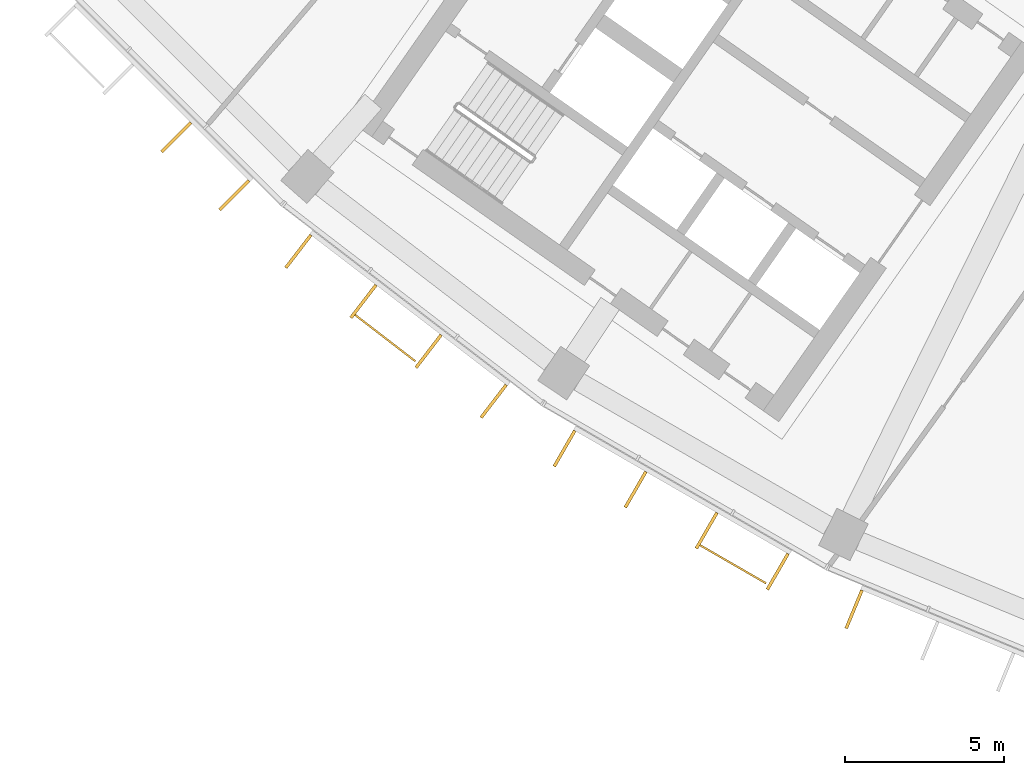
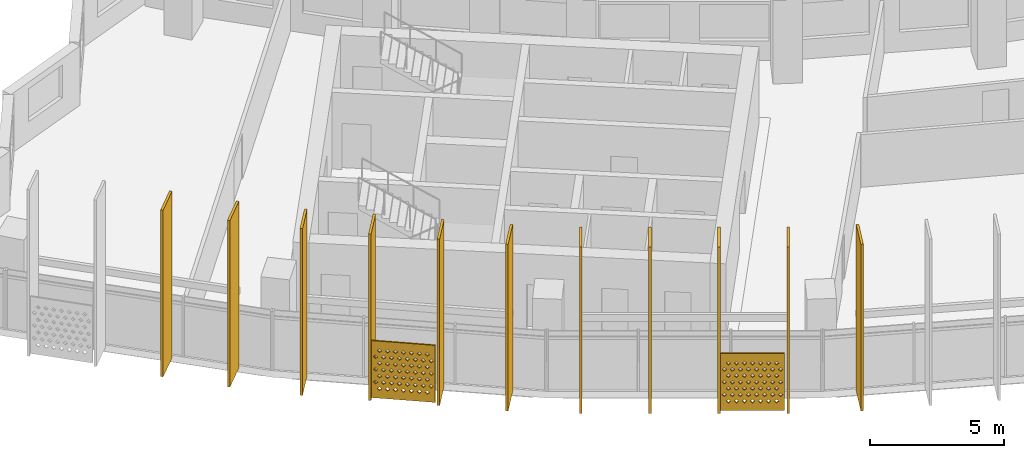
# One storey, part 23 of 27: 13 shading devices.
"""IFC4 building model written with IfcOpenShell, lengths in metres."""

from ifc_helpers import new_model, si_unit, direction, frame, origin, origin_2d, place, context, subcontext, project, spatial, polyline, rectangle, outline, extrude, material, material_profile, profile_set, type_object, element, save


model = new_model("IFC4")

# Units and contexts
model_context = context("Model", 3, precision=1e-05, world=origin(), true_north=direction((0.0, 1.0)))
body_context = subcontext(model_context, "Body", "Model", "MODEL_VIEW")
ifc_project = project(units=[si_unit("LENGTHUNIT", "METRE"), si_unit("AREAUNIT", "SQUARE_METRE"), si_unit("VOLUMEUNIT", "CUBIC_METRE"), si_unit("PLANEANGLEUNIT", "RADIAN"), si_unit("MASSUNIT", "GRAM", prefix="KILO")], contexts=[model_context])

# Site, building, storey
site_placement = place(None, origin())
site = spatial("IfcSite", under=ifc_project, at=site_placement, CompositionType="ELEMENT")
building_placement = place(site_placement, origin())
building = spatial("IfcBuilding", under=site, at=building_placement, Name="Qamariyya Broadcast Tower", CompositionType="ELEMENT")
storey_placement = place(building_placement, frame((0.0, 0.0, 179.699951171875)))
storey = spatial("IfcBuildingStorey", under=building, at=storey_placement, Name="L42", CompositionType="ELEMENT", Elevation=179.699951171875)

# Shading devices
ifc_material_1 = material(Name="Perforated glazed terracotta", Category="masonry")
ifc_material_profile_1 = material_profile(ifc_material_1, outline(polyline([(-1.199951171875, -1.300048828125), (1.199951171875, -1.300048828125), (1.199951171875, 1.300048828125), (-1.199951171875, 1.300048828125), (-1.199951171875, -1.300048828125)]), holes=[polyline([(-0.81494140625, -0.86669921875), (-0.89990234375, -0.78173828125), (-0.985107421875, -0.86669921875), (-0.89990234375, -0.95166015625), (-0.81494140625, -0.86669921875)]), polyline([(-0.514892578125, -0.86669921875), (-0.60009765625, -0.78173828125), (-0.68505859375, -0.86669921875), (-0.60009765625, -0.95166015625), (-0.514892578125, -0.86669921875)]), polyline([(-0.215087890625, -0.86669921875), (-0.300048828125, -0.78173828125), (-0.385009765625, -0.86669921875), (-0.300048828125, -0.95166015625), (-0.215087890625, -0.86669921875)]), polyline([(0.0849609375, -0.86669921875), (0.0, -0.78173828125), (-0.0849609375, -0.86669921875), (0.0, -0.95166015625), (0.0849609375, -0.86669921875)]), polyline([(0.385009765625, -0.86669921875), (0.300048828125, -0.78173828125), (0.215087890625, -0.86669921875), (0.300048828125, -0.95166015625), (0.385009765625, -0.86669921875)]), polyline([(0.68505859375, -0.86669921875), (0.60009765625, -0.78173828125), (0.514892578125, -0.86669921875), (0.60009765625, -0.95166015625), (0.68505859375, -0.86669921875)]), polyline([(0.985107421875, -0.86669921875), (0.89990234375, -0.78173828125), (0.81494140625, -0.86669921875), (0.89990234375, -0.95166015625), (0.985107421875, -0.86669921875)]), polyline([(-0.965087890625, -0.577880859375), (-1.050048828125, -0.49267578125), (-1.135009765625, -0.577880859375), (-1.050048828125, -0.662841796875), (-0.965087890625, -0.577880859375)]), polyline([(-0.6650390625, -0.577880859375), (-0.75, -0.49267578125), (-0.8349609375, -0.577880859375), (-0.75, -0.662841796875), (-0.6650390625, -0.577880859375)]), polyline([(-0.364990234375, -0.577880859375), (-0.449951171875, -0.49267578125), (-0.534912109375, -0.577880859375), (-0.449951171875, -0.662841796875), (-0.364990234375, -0.577880859375)]), polyline([(-0.06494140625, -0.577880859375), (-0.14990234375, -0.49267578125), (-0.235107421875, -0.577880859375), (-0.14990234375, -0.662841796875), (-0.06494140625, -0.577880859375)]), polyline([(0.235107421875, -0.577880859375), (0.14990234375, -0.49267578125), (0.06494140625, -0.577880859375), (0.14990234375, -0.662841796875), (0.235107421875, -0.577880859375)]), polyline([(0.534912109375, -0.577880859375), (0.449951171875, -0.49267578125), (0.364990234375, -0.577880859375), (0.449951171875, -0.662841796875), (0.534912109375, -0.577880859375)]), polyline([(0.8349609375, -0.577880859375), (0.75, -0.49267578125), (0.6650390625, -0.577880859375), (0.75, -0.662841796875), (0.8349609375, -0.577880859375)]), polyline([(1.135009765625, -0.577880859375), (1.050048828125, -0.49267578125), (0.965087890625, -0.577880859375), (1.050048828125, -0.662841796875), (1.135009765625, -0.577880859375)]), polyline([(-0.81494140625, -0.288818359375), (-0.89990234375, -0.203857421875), (-0.985107421875, -0.288818359375), (-0.89990234375, -0.373779296875), (-0.81494140625, -0.288818359375)]), polyline([(-0.514892578125, -0.288818359375), (-0.60009765625, -0.203857421875), (-0.68505859375, -0.288818359375), (-0.60009765625, -0.373779296875), (-0.514892578125, -0.288818359375)]), polyline([(-0.215087890625, -0.288818359375), (-0.300048828125, -0.203857421875), (-0.385009765625, -0.288818359375), (-0.300048828125, -0.373779296875), (-0.215087890625, -0.288818359375)]), polyline([(0.0849609375, -0.288818359375), (0.0, -0.203857421875), (-0.0849609375, -0.288818359375), (0.0, -0.373779296875), (0.0849609375, -0.288818359375)]), polyline([(0.385009765625, -0.288818359375), (0.300048828125, -0.203857421875), (0.215087890625, -0.288818359375), (0.300048828125, -0.373779296875), (0.385009765625, -0.288818359375)]), polyline([(0.68505859375, -0.288818359375), (0.60009765625, -0.203857421875), (0.514892578125, -0.288818359375), (0.60009765625, -0.373779296875), (0.68505859375, -0.288818359375)]), polyline([(0.985107421875, -0.288818359375), (0.89990234375, -0.203857421875), (0.81494140625, -0.288818359375), (0.89990234375, -0.373779296875), (0.985107421875, -0.288818359375)]), polyline([(-0.965087890625, 0.0), (-1.050048828125, 0.0849609375), (-1.135009765625, 0.0), (-1.050048828125, -0.0849609375), (-0.965087890625, 0.0)]), polyline([(-0.6650390625, 0.0), (-0.75, 0.0849609375), (-0.8349609375, 0.0), (-0.75, -0.0849609375), (-0.6650390625, 0.0)]), polyline([(-0.364990234375, 0.0), (-0.449951171875, 0.0849609375), (-0.534912109375, 0.0), (-0.449951171875, -0.0849609375), (-0.364990234375, 0.0)]), polyline([(-0.06494140625, 0.0), (-0.14990234375, 0.0849609375), (-0.235107421875, 0.0), (-0.14990234375, -0.0849609375), (-0.06494140625, 0.0)]), polyline([(0.235107421875, 0.0), (0.14990234375, 0.0849609375), (0.06494140625, 0.0), (0.14990234375, -0.0849609375), (0.235107421875, 0.0)]), polyline([(0.534912109375, 0.0), (0.449951171875, 0.0849609375), (0.364990234375, 0.0), (0.449951171875, -0.0849609375), (0.534912109375, 0.0)]), polyline([(0.8349609375, 0.0), (0.75, 0.0849609375), (0.6650390625, 0.0), (0.75, -0.0849609375), (0.8349609375, 0.0)]), polyline([(1.135009765625, 0.0), (1.050048828125, 0.0849609375), (0.965087890625, 0.0), (1.050048828125, -0.0849609375), (1.135009765625, 0.0)]), polyline([(-0.81494140625, 0.288818359375), (-0.89990234375, 0.373779296875), (-0.985107421875, 0.288818359375), (-0.89990234375, 0.203857421875), (-0.81494140625, 0.288818359375)]), polyline([(-0.514892578125, 0.288818359375), (-0.60009765625, 0.373779296875), (-0.68505859375, 0.288818359375), (-0.60009765625, 0.203857421875), (-0.514892578125, 0.288818359375)]), polyline([(-0.215087890625, 0.288818359375), (-0.300048828125, 0.373779296875), (-0.385009765625, 0.288818359375), (-0.300048828125, 0.203857421875), (-0.215087890625, 0.288818359375)]), polyline([(0.0849609375, 0.288818359375), (0.0, 0.373779296875), (-0.0849609375, 0.288818359375), (0.0, 0.203857421875), (0.0849609375, 0.288818359375)]), polyline([(0.385009765625, 0.288818359375), (0.300048828125, 0.373779296875), (0.215087890625, 0.288818359375), (0.300048828125, 0.203857421875), (0.385009765625, 0.288818359375)]), polyline([(0.68505859375, 0.288818359375), (0.60009765625, 0.373779296875), (0.514892578125, 0.288818359375), (0.60009765625, 0.203857421875), (0.68505859375, 0.288818359375)]), polyline([(0.985107421875, 0.288818359375), (0.89990234375, 0.373779296875), (0.81494140625, 0.288818359375), (0.89990234375, 0.203857421875), (0.985107421875, 0.288818359375)]), polyline([(-0.965087890625, 0.577880859375), (-1.050048828125, 0.662841796875), (-1.135009765625, 0.577880859375), (-1.050048828125, 0.49267578125), (-0.965087890625, 0.577880859375)]), polyline([(-0.6650390625, 0.577880859375), (-0.75, 0.662841796875), (-0.8349609375, 0.577880859375), (-0.75, 0.49267578125), (-0.6650390625, 0.577880859375)]), polyline([(-0.364990234375, 0.577880859375), (-0.449951171875, 0.662841796875), (-0.534912109375, 0.577880859375), (-0.449951171875, 0.49267578125), (-0.364990234375, 0.577880859375)]), polyline([(-0.06494140625, 0.577880859375), (-0.14990234375, 0.662841796875), (-0.235107421875, 0.577880859375), (-0.14990234375, 0.49267578125), (-0.06494140625, 0.577880859375)]), polyline([(0.235107421875, 0.577880859375), (0.14990234375, 0.662841796875), (0.06494140625, 0.577880859375), (0.14990234375, 0.49267578125), (0.235107421875, 0.577880859375)]), polyline([(0.534912109375, 0.577880859375), (0.449951171875, 0.662841796875), (0.364990234375, 0.577880859375), (0.449951171875, 0.49267578125), (0.534912109375, 0.577880859375)]), polyline([(0.8349609375, 0.577880859375), (0.75, 0.662841796875), (0.6650390625, 0.577880859375), (0.75, 0.49267578125), (0.8349609375, 0.577880859375)]), polyline([(1.135009765625, 0.577880859375), (1.050048828125, 0.662841796875), (0.965087890625, 0.577880859375), (1.050048828125, 0.49267578125), (1.135009765625, 0.577880859375)]), polyline([(-0.81494140625, 0.86669921875), (-0.89990234375, 0.95166015625), (-0.985107421875, 0.86669921875), (-0.89990234375, 0.78173828125), (-0.81494140625, 0.86669921875)]), polyline([(-0.514892578125, 0.86669921875), (-0.60009765625, 0.95166015625), (-0.68505859375, 0.86669921875), (-0.60009765625, 0.78173828125), (-0.514892578125, 0.86669921875)]), polyline([(-0.215087890625, 0.86669921875), (-0.300048828125, 0.95166015625), (-0.385009765625, 0.86669921875), (-0.300048828125, 0.78173828125), (-0.215087890625, 0.86669921875)]), polyline([(0.0849609375, 0.86669921875), (0.0, 0.95166015625), (-0.0849609375, 0.86669921875), (0.0, 0.78173828125), (0.0849609375, 0.86669921875)]), polyline([(0.385009765625, 0.86669921875), (0.300048828125, 0.95166015625), (0.215087890625, 0.86669921875), (0.300048828125, 0.78173828125), (0.385009765625, 0.86669921875)]), polyline([(0.68505859375, 0.86669921875), (0.60009765625, 0.95166015625), (0.514892578125, 0.86669921875), (0.60009765625, 0.78173828125), (0.68505859375, 0.86669921875)]), polyline([(0.985107421875, 0.86669921875), (0.89990234375, 0.95166015625), (0.81494140625, 0.86669921875), (0.89990234375, 0.78173828125), (0.985107421875, 0.86669921875)])]))
ifc_profile_set_1 = profile_set([ifc_material_profile_1], Name="Perforated glazed terracotta")
shading_device_type_1 = type_object("IfcShadingDeviceType", Name="Perforated terracotta screen 2400 x 2600", PredefinedType="USERDEFINED", material=ifc_profile_set_1)
shading_device_1_placement = place(storey_placement, frame((-48.79541015625, -63.52294921875, 1.35009765625), z_axis=(-0.60971076085, -0.792623989105, 0.0), x_axis=(0.792623989105, -0.60971076085, 0.0)))
element("IfcShadingDevice", 1, at=shading_device_1_placement, inside=storey, type_object=shading_device_type_1, Name="e-scr-L42-02-1", ObjectType="SCREEN", PredefinedType="USERDEFINED", context=body_context, shape_type="SweptSolid", body=[
    extrude(outline(polyline([(-1.199951171875, -1.300048828125), (1.199951171875, -1.300048828125), (1.199951171875, 1.300048828125), (-1.199951171875, 1.300048828125), (-1.199951171875, -1.300048828125)]), holes=[polyline([(-0.81494140625, -0.86669921875), (-0.89990234375, -0.78173828125), (-0.985107421875, -0.86669921875), (-0.89990234375, -0.95166015625), (-0.81494140625, -0.86669921875)]), polyline([(-0.514892578125, -0.86669921875), (-0.60009765625, -0.78173828125), (-0.68505859375, -0.86669921875), (-0.60009765625, -0.95166015625), (-0.514892578125, -0.86669921875)]), polyline([(-0.215087890625, -0.86669921875), (-0.300048828125, -0.78173828125), (-0.385009765625, -0.86669921875), (-0.300048828125, -0.95166015625), (-0.215087890625, -0.86669921875)]), polyline([(0.0849609375, -0.86669921875), (0.0, -0.78173828125), (-0.0849609375, -0.86669921875), (0.0, -0.95166015625), (0.0849609375, -0.86669921875)]), polyline([(0.385009765625, -0.86669921875), (0.300048828125, -0.78173828125), (0.215087890625, -0.86669921875), (0.300048828125, -0.95166015625), (0.385009765625, -0.86669921875)]), polyline([(0.68505859375, -0.86669921875), (0.60009765625, -0.78173828125), (0.514892578125, -0.86669921875), (0.60009765625, -0.95166015625), (0.68505859375, -0.86669921875)]), polyline([(0.985107421875, -0.86669921875), (0.89990234375, -0.78173828125), (0.81494140625, -0.86669921875), (0.89990234375, -0.95166015625), (0.985107421875, -0.86669921875)]), polyline([(-0.965087890625, -0.577880859375), (-1.050048828125, -0.49267578125), (-1.135009765625, -0.577880859375), (-1.050048828125, -0.662841796875), (-0.965087890625, -0.577880859375)]), polyline([(-0.6650390625, -0.577880859375), (-0.75, -0.49267578125), (-0.8349609375, -0.577880859375), (-0.75, -0.662841796875), (-0.6650390625, -0.577880859375)]), polyline([(-0.364990234375, -0.577880859375), (-0.449951171875, -0.49267578125), (-0.534912109375, -0.577880859375), (-0.449951171875, -0.662841796875), (-0.364990234375, -0.577880859375)]), polyline([(-0.06494140625, -0.577880859375), (-0.14990234375, -0.49267578125), (-0.235107421875, -0.577880859375), (-0.14990234375, -0.662841796875), (-0.06494140625, -0.577880859375)]), polyline([(0.235107421875, -0.577880859375), (0.14990234375, -0.49267578125), (0.06494140625, -0.577880859375), (0.14990234375, -0.662841796875), (0.235107421875, -0.577880859375)]), polyline([(0.534912109375, -0.577880859375), (0.449951171875, -0.49267578125), (0.364990234375, -0.577880859375), (0.449951171875, -0.662841796875), (0.534912109375, -0.577880859375)]), polyline([(0.8349609375, -0.577880859375), (0.75, -0.49267578125), (0.6650390625, -0.577880859375), (0.75, -0.662841796875), (0.8349609375, -0.577880859375)]), polyline([(1.135009765625, -0.577880859375), (1.050048828125, -0.49267578125), (0.965087890625, -0.577880859375), (1.050048828125, -0.662841796875), (1.135009765625, -0.577880859375)]), polyline([(-0.81494140625, -0.288818359375), (-0.89990234375, -0.203857421875), (-0.985107421875, -0.288818359375), (-0.89990234375, -0.373779296875), (-0.81494140625, -0.288818359375)]), polyline([(-0.514892578125, -0.288818359375), (-0.60009765625, -0.203857421875), (-0.68505859375, -0.288818359375), (-0.60009765625, -0.373779296875), (-0.514892578125, -0.288818359375)]), polyline([(-0.215087890625, -0.288818359375), (-0.300048828125, -0.203857421875), (-0.385009765625, -0.288818359375), (-0.300048828125, -0.373779296875), (-0.215087890625, -0.288818359375)]), polyline([(0.0849609375, -0.288818359375), (0.0, -0.203857421875), (-0.0849609375, -0.288818359375), (0.0, -0.373779296875), (0.0849609375, -0.288818359375)]), polyline([(0.385009765625, -0.288818359375), (0.300048828125, -0.203857421875), (0.215087890625, -0.288818359375), (0.300048828125, -0.373779296875), (0.385009765625, -0.288818359375)]), polyline([(0.68505859375, -0.288818359375), (0.60009765625, -0.203857421875), (0.514892578125, -0.288818359375), (0.60009765625, -0.373779296875), (0.68505859375, -0.288818359375)]), polyline([(0.985107421875, -0.288818359375), (0.89990234375, -0.203857421875), (0.81494140625, -0.288818359375), (0.89990234375, -0.373779296875), (0.985107421875, -0.288818359375)]), polyline([(-0.965087890625, 0.0), (-1.050048828125, 0.0849609375), (-1.135009765625, 0.0), (-1.050048828125, -0.0849609375), (-0.965087890625, 0.0)]), polyline([(-0.6650390625, 0.0), (-0.75, 0.0849609375), (-0.8349609375, 0.0), (-0.75, -0.0849609375), (-0.6650390625, 0.0)]), polyline([(-0.364990234375, 0.0), (-0.449951171875, 0.0849609375), (-0.534912109375, 0.0), (-0.449951171875, -0.0849609375), (-0.364990234375, 0.0)]), polyline([(-0.06494140625, 0.0), (-0.14990234375, 0.0849609375), (-0.235107421875, 0.0), (-0.14990234375, -0.0849609375), (-0.06494140625, 0.0)]), polyline([(0.235107421875, 0.0), (0.14990234375, 0.0849609375), (0.06494140625, 0.0), (0.14990234375, -0.0849609375), (0.235107421875, 0.0)]), polyline([(0.534912109375, 0.0), (0.449951171875, 0.0849609375), (0.364990234375, 0.0), (0.449951171875, -0.0849609375), (0.534912109375, 0.0)]), polyline([(0.8349609375, 0.0), (0.75, 0.0849609375), (0.6650390625, 0.0), (0.75, -0.0849609375), (0.8349609375, 0.0)]), polyline([(1.135009765625, 0.0), (1.050048828125, 0.0849609375), (0.965087890625, 0.0), (1.050048828125, -0.0849609375), (1.135009765625, 0.0)]), polyline([(-0.81494140625, 0.288818359375), (-0.89990234375, 0.373779296875), (-0.985107421875, 0.288818359375), (-0.89990234375, 0.203857421875), (-0.81494140625, 0.288818359375)]), polyline([(-0.514892578125, 0.288818359375), (-0.60009765625, 0.373779296875), (-0.68505859375, 0.288818359375), (-0.60009765625, 0.203857421875), (-0.514892578125, 0.288818359375)]), polyline([(-0.215087890625, 0.288818359375), (-0.300048828125, 0.373779296875), (-0.385009765625, 0.288818359375), (-0.300048828125, 0.203857421875), (-0.215087890625, 0.288818359375)]), polyline([(0.0849609375, 0.288818359375), (0.0, 0.373779296875), (-0.0849609375, 0.288818359375), (0.0, 0.203857421875), (0.0849609375, 0.288818359375)]), polyline([(0.385009765625, 0.288818359375), (0.300048828125, 0.373779296875), (0.215087890625, 0.288818359375), (0.300048828125, 0.203857421875), (0.385009765625, 0.288818359375)]), polyline([(0.68505859375, 0.288818359375), (0.60009765625, 0.373779296875), (0.514892578125, 0.288818359375), (0.60009765625, 0.203857421875), (0.68505859375, 0.288818359375)]), polyline([(0.985107421875, 0.288818359375), (0.89990234375, 0.373779296875), (0.81494140625, 0.288818359375), (0.89990234375, 0.203857421875), (0.985107421875, 0.288818359375)]), polyline([(-0.965087890625, 0.577880859375), (-1.050048828125, 0.662841796875), (-1.135009765625, 0.577880859375), (-1.050048828125, 0.49267578125), (-0.965087890625, 0.577880859375)]), polyline([(-0.6650390625, 0.577880859375), (-0.75, 0.662841796875), (-0.8349609375, 0.577880859375), (-0.75, 0.49267578125), (-0.6650390625, 0.577880859375)]), polyline([(-0.364990234375, 0.577880859375), (-0.449951171875, 0.662841796875), (-0.534912109375, 0.577880859375), (-0.449951171875, 0.49267578125), (-0.364990234375, 0.577880859375)]), polyline([(-0.06494140625, 0.577880859375), (-0.14990234375, 0.662841796875), (-0.235107421875, 0.577880859375), (-0.14990234375, 0.49267578125), (-0.06494140625, 0.577880859375)]), polyline([(0.235107421875, 0.577880859375), (0.14990234375, 0.662841796875), (0.06494140625, 0.577880859375), (0.14990234375, 0.49267578125), (0.235107421875, 0.577880859375)]), polyline([(0.534912109375, 0.577880859375), (0.449951171875, 0.662841796875), (0.364990234375, 0.577880859375), (0.449951171875, 0.49267578125), (0.534912109375, 0.577880859375)]), polyline([(0.8349609375, 0.577880859375), (0.75, 0.662841796875), (0.6650390625, 0.577880859375), (0.75, 0.49267578125), (0.8349609375, 0.577880859375)]), polyline([(1.135009765625, 0.577880859375), (1.050048828125, 0.662841796875), (0.965087890625, 0.577880859375), (1.050048828125, 0.49267578125), (1.135009765625, 0.577880859375)]), polyline([(-0.81494140625, 0.86669921875), (-0.89990234375, 0.95166015625), (-0.985107421875, 0.86669921875), (-0.89990234375, 0.78173828125), (-0.81494140625, 0.86669921875)]), polyline([(-0.514892578125, 0.86669921875), (-0.60009765625, 0.95166015625), (-0.68505859375, 0.86669921875), (-0.60009765625, 0.78173828125), (-0.514892578125, 0.86669921875)]), polyline([(-0.215087890625, 0.86669921875), (-0.300048828125, 0.95166015625), (-0.385009765625, 0.86669921875), (-0.300048828125, 0.78173828125), (-0.215087890625, 0.86669921875)]), polyline([(0.0849609375, 0.86669921875), (0.0, 0.95166015625), (-0.0849609375, 0.86669921875), (0.0, 0.78173828125), (0.0849609375, 0.86669921875)]), polyline([(0.385009765625, 0.86669921875), (0.300048828125, 0.95166015625), (0.215087890625, 0.86669921875), (0.300048828125, 0.78173828125), (0.385009765625, 0.86669921875)]), polyline([(0.68505859375, 0.86669921875), (0.60009765625, 0.95166015625), (0.514892578125, 0.86669921875), (0.60009765625, 0.78173828125), (0.68505859375, 0.86669921875)]), polyline([(0.985107421875, 0.86669921875), (0.89990234375, 0.95166015625), (0.81494140625, 0.86669921875), (0.89990234375, 0.78173828125), (0.985107421875, 0.86669921875)])]), origin(), (0.0, 0.0, 1.0), 0.06005859375),
])
shading_device_2_placement = place(storey_placement, frame((-37.84912109375, -70.64013671875, 1.35009765625), z_axis=(-0.500074377092, -0.865982457891, 0.0), x_axis=(0.865982457891, -0.500074377092, 0.0)))
element("IfcShadingDevice", 2, at=shading_device_2_placement, inside=storey, type_object=shading_device_type_1, Name="e-scr-L42-03-2", ObjectType="SCREEN", PredefinedType="USERDEFINED", context=body_context, shape_type="SweptSolid", body=[
    extrude(outline(polyline([(-1.199951171875, -1.300048828125), (1.199951171875, -1.300048828125), (1.199951171875, 1.300048828125), (-1.199951171875, 1.300048828125), (-1.199951171875, -1.300048828125)]), holes=[polyline([(-0.81494140625, -0.86669921875), (-0.89990234375, -0.78173828125), (-0.985107421875, -0.86669921875), (-0.89990234375, -0.95166015625), (-0.81494140625, -0.86669921875)]), polyline([(-0.514892578125, -0.86669921875), (-0.60009765625, -0.78173828125), (-0.68505859375, -0.86669921875), (-0.60009765625, -0.95166015625), (-0.514892578125, -0.86669921875)]), polyline([(-0.215087890625, -0.86669921875), (-0.300048828125, -0.78173828125), (-0.385009765625, -0.86669921875), (-0.300048828125, -0.95166015625), (-0.215087890625, -0.86669921875)]), polyline([(0.0849609375, -0.86669921875), (0.0, -0.78173828125), (-0.0849609375, -0.86669921875), (0.0, -0.95166015625), (0.0849609375, -0.86669921875)]), polyline([(0.385009765625, -0.86669921875), (0.300048828125, -0.78173828125), (0.215087890625, -0.86669921875), (0.300048828125, -0.95166015625), (0.385009765625, -0.86669921875)]), polyline([(0.68505859375, -0.86669921875), (0.60009765625, -0.78173828125), (0.514892578125, -0.86669921875), (0.60009765625, -0.95166015625), (0.68505859375, -0.86669921875)]), polyline([(0.985107421875, -0.86669921875), (0.89990234375, -0.78173828125), (0.81494140625, -0.86669921875), (0.89990234375, -0.95166015625), (0.985107421875, -0.86669921875)]), polyline([(-0.965087890625, -0.577880859375), (-1.050048828125, -0.49267578125), (-1.135009765625, -0.577880859375), (-1.050048828125, -0.662841796875), (-0.965087890625, -0.577880859375)]), polyline([(-0.6650390625, -0.577880859375), (-0.75, -0.49267578125), (-0.8349609375, -0.577880859375), (-0.75, -0.662841796875), (-0.6650390625, -0.577880859375)]), polyline([(-0.364990234375, -0.577880859375), (-0.449951171875, -0.49267578125), (-0.534912109375, -0.577880859375), (-0.449951171875, -0.662841796875), (-0.364990234375, -0.577880859375)]), polyline([(-0.06494140625, -0.577880859375), (-0.14990234375, -0.49267578125), (-0.235107421875, -0.577880859375), (-0.14990234375, -0.662841796875), (-0.06494140625, -0.577880859375)]), polyline([(0.235107421875, -0.577880859375), (0.14990234375, -0.49267578125), (0.06494140625, -0.577880859375), (0.14990234375, -0.662841796875), (0.235107421875, -0.577880859375)]), polyline([(0.534912109375, -0.577880859375), (0.449951171875, -0.49267578125), (0.364990234375, -0.577880859375), (0.449951171875, -0.662841796875), (0.534912109375, -0.577880859375)]), polyline([(0.8349609375, -0.577880859375), (0.75, -0.49267578125), (0.6650390625, -0.577880859375), (0.75, -0.662841796875), (0.8349609375, -0.577880859375)]), polyline([(1.135009765625, -0.577880859375), (1.050048828125, -0.49267578125), (0.965087890625, -0.577880859375), (1.050048828125, -0.662841796875), (1.135009765625, -0.577880859375)]), polyline([(-0.81494140625, -0.288818359375), (-0.89990234375, -0.203857421875), (-0.985107421875, -0.288818359375), (-0.89990234375, -0.373779296875), (-0.81494140625, -0.288818359375)]), polyline([(-0.514892578125, -0.288818359375), (-0.60009765625, -0.203857421875), (-0.68505859375, -0.288818359375), (-0.60009765625, -0.373779296875), (-0.514892578125, -0.288818359375)]), polyline([(-0.215087890625, -0.288818359375), (-0.300048828125, -0.203857421875), (-0.385009765625, -0.288818359375), (-0.300048828125, -0.373779296875), (-0.215087890625, -0.288818359375)]), polyline([(0.0849609375, -0.288818359375), (0.0, -0.203857421875), (-0.0849609375, -0.288818359375), (0.0, -0.373779296875), (0.0849609375, -0.288818359375)]), polyline([(0.385009765625, -0.288818359375), (0.300048828125, -0.203857421875), (0.215087890625, -0.288818359375), (0.300048828125, -0.373779296875), (0.385009765625, -0.288818359375)]), polyline([(0.68505859375, -0.288818359375), (0.60009765625, -0.203857421875), (0.514892578125, -0.288818359375), (0.60009765625, -0.373779296875), (0.68505859375, -0.288818359375)]), polyline([(0.985107421875, -0.288818359375), (0.89990234375, -0.203857421875), (0.81494140625, -0.288818359375), (0.89990234375, -0.373779296875), (0.985107421875, -0.288818359375)]), polyline([(-0.965087890625, 0.0), (-1.050048828125, 0.0849609375), (-1.135009765625, 0.0), (-1.050048828125, -0.0849609375), (-0.965087890625, 0.0)]), polyline([(-0.6650390625, 0.0), (-0.75, 0.0849609375), (-0.8349609375, 0.0), (-0.75, -0.0849609375), (-0.6650390625, 0.0)]), polyline([(-0.364990234375, 0.0), (-0.449951171875, 0.0849609375), (-0.534912109375, 0.0), (-0.449951171875, -0.0849609375), (-0.364990234375, 0.0)]), polyline([(-0.06494140625, 0.0), (-0.14990234375, 0.0849609375), (-0.235107421875, 0.0), (-0.14990234375, -0.0849609375), (-0.06494140625, 0.0)]), polyline([(0.235107421875, 0.0), (0.14990234375, 0.0849609375), (0.06494140625, 0.0), (0.14990234375, -0.0849609375), (0.235107421875, 0.0)]), polyline([(0.534912109375, 0.0), (0.449951171875, 0.0849609375), (0.364990234375, 0.0), (0.449951171875, -0.0849609375), (0.534912109375, 0.0)]), polyline([(0.8349609375, 0.0), (0.75, 0.0849609375), (0.6650390625, 0.0), (0.75, -0.0849609375), (0.8349609375, 0.0)]), polyline([(1.135009765625, 0.0), (1.050048828125, 0.0849609375), (0.965087890625, 0.0), (1.050048828125, -0.0849609375), (1.135009765625, 0.0)]), polyline([(-0.81494140625, 0.288818359375), (-0.89990234375, 0.373779296875), (-0.985107421875, 0.288818359375), (-0.89990234375, 0.203857421875), (-0.81494140625, 0.288818359375)]), polyline([(-0.514892578125, 0.288818359375), (-0.60009765625, 0.373779296875), (-0.68505859375, 0.288818359375), (-0.60009765625, 0.203857421875), (-0.514892578125, 0.288818359375)]), polyline([(-0.215087890625, 0.288818359375), (-0.300048828125, 0.373779296875), (-0.385009765625, 0.288818359375), (-0.300048828125, 0.203857421875), (-0.215087890625, 0.288818359375)]), polyline([(0.0849609375, 0.288818359375), (0.0, 0.373779296875), (-0.0849609375, 0.288818359375), (0.0, 0.203857421875), (0.0849609375, 0.288818359375)]), polyline([(0.385009765625, 0.288818359375), (0.300048828125, 0.373779296875), (0.215087890625, 0.288818359375), (0.300048828125, 0.203857421875), (0.385009765625, 0.288818359375)]), polyline([(0.68505859375, 0.288818359375), (0.60009765625, 0.373779296875), (0.514892578125, 0.288818359375), (0.60009765625, 0.203857421875), (0.68505859375, 0.288818359375)]), polyline([(0.985107421875, 0.288818359375), (0.89990234375, 0.373779296875), (0.81494140625, 0.288818359375), (0.89990234375, 0.203857421875), (0.985107421875, 0.288818359375)]), polyline([(-0.965087890625, 0.577880859375), (-1.050048828125, 0.662841796875), (-1.135009765625, 0.577880859375), (-1.050048828125, 0.49267578125), (-0.965087890625, 0.577880859375)]), polyline([(-0.6650390625, 0.577880859375), (-0.75, 0.662841796875), (-0.8349609375, 0.577880859375), (-0.75, 0.49267578125), (-0.6650390625, 0.577880859375)]), polyline([(-0.364990234375, 0.577880859375), (-0.449951171875, 0.662841796875), (-0.534912109375, 0.577880859375), (-0.449951171875, 0.49267578125), (-0.364990234375, 0.577880859375)]), polyline([(-0.06494140625, 0.577880859375), (-0.14990234375, 0.662841796875), (-0.235107421875, 0.577880859375), (-0.14990234375, 0.49267578125), (-0.06494140625, 0.577880859375)]), polyline([(0.235107421875, 0.577880859375), (0.14990234375, 0.662841796875), (0.06494140625, 0.577880859375), (0.14990234375, 0.49267578125), (0.235107421875, 0.577880859375)]), polyline([(0.534912109375, 0.577880859375), (0.449951171875, 0.662841796875), (0.364990234375, 0.577880859375), (0.449951171875, 0.49267578125), (0.534912109375, 0.577880859375)]), polyline([(0.8349609375, 0.577880859375), (0.75, 0.662841796875), (0.6650390625, 0.577880859375), (0.75, 0.49267578125), (0.8349609375, 0.577880859375)]), polyline([(1.135009765625, 0.577880859375), (1.050048828125, 0.662841796875), (0.965087890625, 0.577880859375), (1.050048828125, 0.49267578125), (1.135009765625, 0.577880859375)]), polyline([(-0.81494140625, 0.86669921875), (-0.89990234375, 0.95166015625), (-0.985107421875, 0.86669921875), (-0.89990234375, 0.78173828125), (-0.81494140625, 0.86669921875)]), polyline([(-0.514892578125, 0.86669921875), (-0.60009765625, 0.95166015625), (-0.68505859375, 0.86669921875), (-0.60009765625, 0.78173828125), (-0.514892578125, 0.86669921875)]), polyline([(-0.215087890625, 0.86669921875), (-0.300048828125, 0.95166015625), (-0.385009765625, 0.86669921875), (-0.300048828125, 0.78173828125), (-0.215087890625, 0.86669921875)]), polyline([(0.0849609375, 0.86669921875), (0.0, 0.95166015625), (-0.0849609375, 0.86669921875), (0.0, 0.78173828125), (0.0849609375, 0.86669921875)]), polyline([(0.385009765625, 0.86669921875), (0.300048828125, 0.95166015625), (0.215087890625, 0.86669921875), (0.300048828125, 0.78173828125), (0.385009765625, 0.86669921875)]), polyline([(0.68505859375, 0.86669921875), (0.60009765625, 0.95166015625), (0.514892578125, 0.86669921875), (0.60009765625, 0.78173828125), (0.68505859375, 0.86669921875)]), polyline([(0.985107421875, 0.86669921875), (0.89990234375, 0.95166015625), (0.81494140625, 0.86669921875), (0.89990234375, 0.78173828125), (0.985107421875, 0.86669921875)])]), origin(), (0.0, 0.0, 1.0), 0.06005859375),
])
ifc_material_2 = material(Name="Glazed terracotta", Category="masonry")
ifc_material_profile_2 = material_profile(ifc_material_2, rectangle(XDim=1.300048828125, YDim=0.10009765625, at=origin_2d()))
ifc_profile_set_2 = profile_set([ifc_material_profile_2], Name="Glazed terracotta")
shading_device_type_2 = type_object("IfcShadingDeviceType", Name="Terracotta fin 100 x 1300", PredefinedType="USERDEFINED", material=ifc_profile_set_2)
for number, where, z_axis, x_axis, name in (
    (3, (-55.39404296875, -57.220947265625, 0.0), (0.0, 0.0, 1.0), (-0.707106781187, -0.707106781187, 0.0), "e-fin-L42-01-2"),
    (4, (-53.5673828125, -59.047607421875, 0.0), (0.0, 0.0, 1.0), (-0.707106781187, -0.707106781187, 0.0), "e-fin-L42-01-3"),
    (5, (-51.550537109375, -60.81640625, 0.0), (0.0, 0.0, 1.0), (-0.608761429009, -0.793353340291, 0.0), "e-fin-L42-02-0"),
    (6, (-49.5009765625, -62.38916015625, 0.0), (0.0, 0.0, 1.0), (-0.608761429009, -0.793353340291, 0.0), "e-fin-L42-02-1"),
    (7, (-47.451416015625, -63.961669921875, 0.0), (0.0, 0.0, 1.0), (-0.608761429009, -0.793353340291, 0.0), "e-fin-L42-02-2"),
    (8, (-45.40185546875, -65.534423828125, 0.0), (0.0, 0.0, 1.0), (-0.608761429009, -0.793353340291, 0.0), "e-fin-L42-02-3"),
    (9, (-43.17138671875, -67.024658203125, 0.0), (0.0, 0.0, 1.0), (-0.5, -0.866025403784, 0.0), "e-fin-L42-03-0"),
    (10, (-40.93408203125, -68.31640625, 0.0), (0.0, 0.0, 1.0), (-0.5, -0.866025403784, 0.0), "e-fin-L42-03-1"),
    (11, (-38.69677734375, -69.608154296875, 0.0), (0.0, 0.0, 1.0), (-0.5, -0.866025403784, 0.0), "e-fin-L42-03-2"),
    (12, (-36.45947265625, -70.89990234375, 0.0), (0.0, 0.0, 1.0), (-0.5, -0.866025403784, 0.0), "e-fin-L42-03-3"),
    (13, (-34.053466796875, -72.08642578125, 0.0), (0.0, 0.0, 1.0), (-0.382683432365, -0.923879532511, 0.0), "e-fin-L42-04-0"),
):
    element("IfcShadingDevice", number, at=place(storey_placement, frame(where, z_axis=z_axis, x_axis=x_axis)), inside=storey, type_object=shading_device_type_2, Name=name, ObjectType="FIN", PredefinedType="USERDEFINED", context=body_context, shape_type="SweptSolid", body=[
        extrude(rectangle(XDim=1.300048828125, YDim=0.10009765625, at=origin_2d()), origin(), (0.0, 0.0, 1.0), 7.60009765625),
    ])

save(model, "model.ifc")
